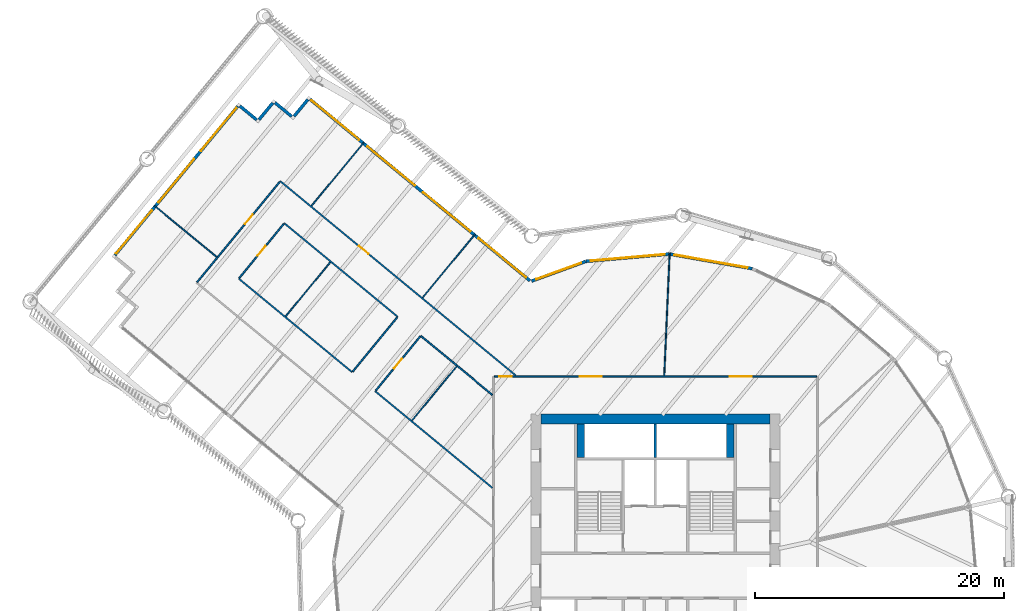
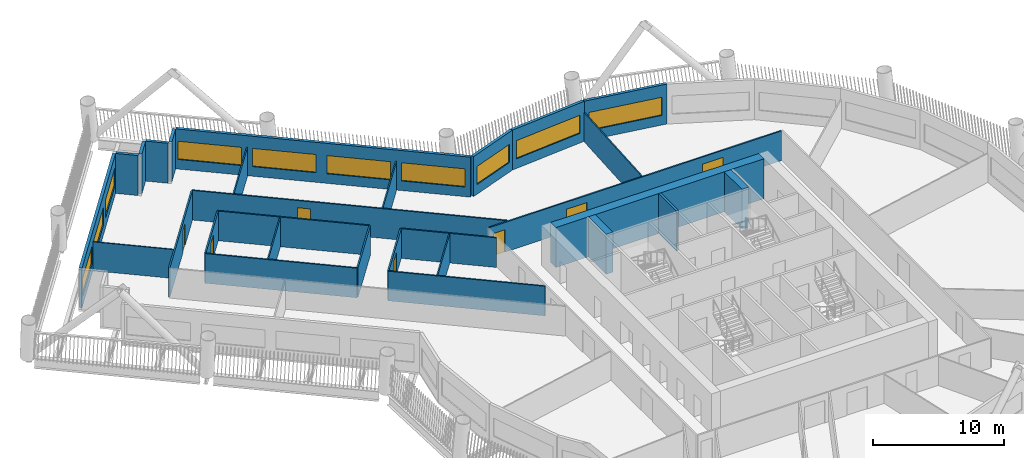
# One storey, part 7 of 22: 29 walls, 10 windows, 7 doors, 17 openings.
"""IFC4 building model written with IfcOpenShell, lengths in metres."""

from ifc_helpers import new_model, si_unit, direction, frame, frame_2d, origin, place, context, subcontext, project, spatial, rectangle, extrude, material, layer, layer_set, type_object, element, fill, save


model = new_model("IFC4")

# Units and contexts
model_context = context("Model", 3, precision=1e-05, world=origin(), true_north=direction((0.0, 1.0)))
body_context = subcontext(model_context, "Body", "Model", "MODEL_VIEW")
ifc_project = project(units=[si_unit("LENGTHUNIT", "METRE"), si_unit("AREAUNIT", "SQUARE_METRE"), si_unit("VOLUMEUNIT", "CUBIC_METRE"), si_unit("PLANEANGLEUNIT", "RADIAN"), si_unit("MASSUNIT", "GRAM", prefix="KILO")], contexts=[model_context])

# Site, building, storey
site_placement = place(None, origin())
site = spatial("IfcSite", under=ifc_project, at=site_placement, CompositionType="ELEMENT")
building_placement = place(site_placement, origin())
building = spatial("IfcBuilding", under=site, at=building_placement, Name="Tarsis Ring Headquarters", CompositionType="ELEMENT")
storey_placement = place(building_placement, frame((0.0, 0.0, 108.39990234375)))
storey = spatial("IfcBuildingStorey", under=building, at=storey_placement, Name="L24", CompositionType="ELEMENT", Elevation=108.39990234375)

# Walls
ifc_material_1 = material(Name="Concrete C60/75", Category="concrete")
ifc_layer_1 = layer(ifc_material_1, 0.800048828125)
ifc_layer_set_1 = layer_set([ifc_layer_1], Name="Core wall 800 C60/75")
wall_type_1 = type_object("IfcWallType", Name="Core wall 800 C60/75", PredefinedType="SHEAR", material=ifc_layer_set_1)
wall_1_placement = place(storey_placement, frame((-9.199951171875, 12.60009765625, 0.0), z_axis=(0.0, 0.0, 1.0), x_axis=(1.0, 0.0, 0.0)))
element("IfcWall", 1, at=wall_1_placement, inside=storey, type_object=wall_type_1, Name="Core wall ON", PredefinedType="SHEAR", context=body_context, shape_type="SweptSolid", body=[
    extrude(rectangle(XDim=18.39990234375, YDim=0.800048828125, at=frame_2d((9.199951171875, 0.0))), origin(), (0.0, 0.0, 1.0), 3.739990234375),
])
ifc_material_2 = material(Name="Gypsum board on steel studs", Category="steel")
ifc_layer_2 = layer(ifc_material_2, 0.10009765625)
ifc_layer_set_2 = layer_set([ifc_layer_2], Name="FL partition 100 unrated")
wall_type_2 = type_object("IfcWallType", Name="FL partition 100 unrated", PredefinedType="PARTITIONING", material=ifc_layer_set_2)
wall_2_placement = place(storey_placement, frame((0.707275390625, 16.06982421875, 0.0), z_axis=(0.0, 0.0, 1.0), x_axis=(0.043964684203, 0.99903308581, 0.0)))
element("IfcWall", 2, at=wall_2_placement, inside=storey, type_object=wall_type_2, Name="Partition PW3", PredefinedType="PARTITIONING", context=body_context, shape_type="SweptSolid", body=[
    extrude(rectangle(XDim=9.8623046875, YDim=0.10009765625, at=frame_2d((4.93115234375, 0.0))), origin(), (0.0, 0.0, 1.0), 2.7001953125),
])
wall_3_placement = place(storey_placement, frame((-18.6884765625, 22.35205078125, 0.0), z_axis=(0.0, 0.0, 1.0), x_axis=(0.636348838657, 0.771401423086, 0.0)))
element("IfcWall", 3, at=wall_3_placement, inside=storey, type_object=wall_type_2, Name="Partition PW3", PredefinedType="PARTITIONING", context=body_context, shape_type="SweptSolid", body=[
    extrude(rectangle(XDim=6.60009765625, YDim=0.10009765625, at=frame_2d((3.300048828125, 0.0))), origin(), (0.0, 0.0, 1.0), 2.7001953125),
])
wall_4_placement = place(storey_placement, frame((-27.613525390625, 29.714599609375, 0.0), z_axis=(0.0, 0.0, 1.0), x_axis=(0.636326826263, 0.771419581147, 0.0)))
element("IfcWall", 4, at=wall_4_placement, inside=storey, type_object=wall_type_2, Name="Partition PW3", PredefinedType="PARTITIONING", context=body_context, shape_type="SweptSolid", body=[
    extrude(rectangle(XDim=6.599853515625, YDim=0.10009765625, at=frame_2d((3.2998046875, 0.0))), origin(), (0.0, 0.0, 1.0), 2.7001953125),
])
wall_5_placement = place(storey_placement, frame((-40.230712890625, 29.725830078125, 0.0), z_axis=(0.0, 0.0, 1.0), x_axis=(0.771415879172, -0.636331314144, 0.0)))
element("IfcWall", 5, at=wall_5_placement, inside=storey, type_object=wall_type_2, Name="Partition PW3", PredefinedType="PARTITIONING", context=body_context, shape_type="SweptSolid", body=[
    extrude(rectangle(XDim=6.47021484375, YDim=0.10009765625, at=frame_2d((3.235107421875, 0.0))), origin(), (0.0, 0.0, 1.0), 2.7001953125),
])
wall_6_placement = place(storey_placement, frame((-19.5458984375, 12.481201171875, 0.0), z_axis=(0.0, 0.0, 1.0), x_axis=(0.636369384387, 0.771384473927, 0.0)))
element("IfcWall", 6, at=wall_6_placement, inside=storey, type_object=wall_type_2, Name="Partition PW3", PredefinedType="PARTITIONING", context=body_context, shape_type="SweptSolid", body=[
    extrude(rectangle(XDim=5.6201171875, YDim=0.10009765625, at=frame_2d((2.81005859375, 0.0))), origin(), (0.0, 0.0, 1.0), 2.7001953125),
])
wall_7_placement = place(storey_placement, frame((-29.689697265625, 20.84912109375, 0.0), z_axis=(0.0, 0.0, 1.0), x_axis=(0.636343534354, 0.771405798711, 0.0)))
element("IfcWall", 7, at=wall_7_placement, inside=storey, type_object=wall_type_2, Name="Partition PW3", PredefinedType="PARTITIONING", context=body_context, shape_type="SweptSolid", body=[
    extrude(rectangle(XDim=5.619873046875, YDim=0.10009765625, at=frame_2d((2.81005859375, 0.0))), origin(), (0.0, 0.0, 1.0), 2.7001953125),
])

# Wall, openings, doors
ifc_layer_3 = layer(ifc_material_2, 0.125)
ifc_layer_set_3 = layer_set([ifc_layer_3], Name="FL partition 125 EI 60 H2770")
wall_type_3 = type_object("IfcWallType", Name="FL partition 125 EI 60 H2770", PredefinedType="PARTITIONING", material=ifc_layer_set_3)
wall_8_placement = place(storey_placement, frame((-12.93994140625, 16.0, 0.0), z_axis=(0.0, 0.0, 1.0), x_axis=(1.0, 0.0, 0.0)))
wall_8 = element("IfcWall", 8, at=wall_8_placement, inside=storey, type_object=wall_type_3, Name="Partition PW1", PredefinedType="PARTITIONING", context=body_context, shape_type="SweptSolid", body=[
    extrude(rectangle(XDim=25.8798828125, YDim=0.125, at=frame_2d((12.93994140625, 0.0))), origin(), (0.0, 0.0, 1.0), 2.77001953125),
])
opening_1_placement = place(wall_8_placement, frame((6.843017578125, 0.0, 0.0)))
opening_1 = element("IfcOpeningElement", 9, at=opening_1_placement, cuts=wall_8, Name="Opening D24.03", PredefinedType="OPENING", context=body_context, shape_type="SweptSolid", body=[
    extrude(rectangle(XDim=1.800048828125, YDim=2.10009765625, at=frame_2d((0.89990234375, 1.050048828125))), frame((0.0, 0.072509765625, 0.0), z_axis=(0.0, -1.0, 0.0), x_axis=(1.0, 0.0, 0.0)), (0.0, 0.0, 1.0), 0.14501953125),
])
opening_2_placement = place(wall_8_placement, frame((18.89208984375, 0.0, 0.0)))
opening_2 = element("IfcOpeningElement", 10, at=opening_2_placement, cuts=wall_8, Name="Opening D24.04", PredefinedType="OPENING", context=body_context, shape_type="SweptSolid", body=[
    extrude(rectangle(XDim=1.800048828125, YDim=2.10009765625, at=frame_2d((0.89990234375, 1.050048828125))), frame((0.0, 0.072509765625, 0.0), z_axis=(0.0, -1.0, 0.0), x_axis=(1.0, 0.0, 0.0)), (0.0, 0.0, 1.0), 0.14501953125),
])
opening_3_placement = place(wall_8_placement, frame((0.390869140625, 0.0, 0.0)))
opening_3 = element("IfcOpeningElement", 11, at=opening_3_placement, cuts=wall_8, Name="Opening D24.24", PredefinedType="OPENING", context=body_context, shape_type="SweptSolid", body=[
    extrude(rectangle(XDim=1.0, YDim=2.10009765625, at=frame_2d((0.5, 1.050048828125))), frame((0.0, 0.072509765625, 0.0), z_axis=(0.0, -1.0, 0.0), x_axis=(1.0, 0.0, 0.0)), (0.0, 0.0, 1.0), 0.14501953125),
])
ifc_material_3 = material(Name="Fire-rated timber door leaf in steel frame", Category="steel")
door_type_1 = type_object("IfcDoorType", Name="FL door FD60-1000", OperationType="NOTDEFINED", PredefinedType="DOOR", material=ifc_material_3)
door_1_placement = place(opening_3_placement, origin())
door_1 = element("IfcDoor", 12, at=door_1_placement, inside=storey, type_object=door_type_1, Name="Door D24.24", OperationType="SINGLE_SWING_RIGHT", OverallHeight=2.10009765625, OverallWidth=1.0, PredefinedType="DOOR", context=body_context, shape_type="SweptSolid", body=[
    extrude(rectangle(XDim=1.0, YDim=2.10009765625, at=frame_2d((0.5, 1.050048828125))), frame((0.0, 0.02490234375, 0.0), z_axis=(0.0, -1.0, 0.0), x_axis=(1.0, 0.0, 0.0)), (0.0, 0.0, 1.0), 0.050048828125),
])
fill(opening_3, door_1)
door_type_2 = type_object("IfcDoorType", Name="FL door FD60-1800", OperationType="DOUBLE_DOOR_SINGLE_SWING", PredefinedType="DOOR", material=ifc_material_3)
door_2_placement = place(opening_1_placement, origin())
door_2 = element("IfcDoor", 13, at=door_2_placement, inside=storey, type_object=door_type_2, Name="Door D24.03", OperationType="DOUBLE_DOOR_SINGLE_SWING", OverallHeight=2.10009765625, OverallWidth=1.800048828125, PredefinedType="DOOR", context=body_context, shape_type="SweptSolid", body=[
    extrude(rectangle(XDim=1.800048828125, YDim=2.10009765625, at=frame_2d((0.89990234375, 1.050048828125))), frame((0.0, 0.02490234375, 0.0), z_axis=(0.0, -1.0, 0.0), x_axis=(1.0, 0.0, 0.0)), (0.0, 0.0, 1.0), 0.050048828125),
])
fill(opening_1, door_2)
door_3_placement = place(opening_2_placement, origin())
door_3 = element("IfcDoor", 14, at=door_3_placement, inside=storey, type_object=door_type_2, Name="Door D24.04", OperationType="DOUBLE_DOOR_SINGLE_SWING", OverallHeight=2.10009765625, OverallWidth=1.800048828125, PredefinedType="DOOR", context=body_context, shape_type="SweptSolid", body=[
    extrude(rectangle(XDim=1.800048828125, YDim=2.10009765625, at=frame_2d((0.89990234375, 1.050048828125))), frame((0.0, 0.02490234375, 0.0), z_axis=(0.0, -1.0, 0.0), x_axis=(1.0, 0.0, 0.0)), (0.0, 0.0, 1.0), 0.050048828125),
])
fill(opening_2, door_3)

# Wall, opening, door
wall_9_placement = place(storey_placement, frame((-30.126708984375, 31.697021484375, 0.0), z_axis=(0.0, 0.0, 1.0), x_axis=(0.771402007677, -0.636348129998, 0.0)))
wall_9 = element("IfcWall", 15, at=wall_9_placement, inside=storey, type_object=wall_type_3, Name="Partition PW1", PredefinedType="PARTITIONING", context=body_context, shape_type="SweptSolid", body=[
    extrude(rectangle(XDim=24.50732421875, YDim=0.125, at=frame_2d((12.253662109375, 0.0))), origin(), (0.0, 0.0, 1.0), 2.77001953125),
])
opening_4_placement = place(wall_9_placement, frame((8.203857421875, 0.0, 0.0)))
opening_4 = element("IfcOpeningElement", 16, at=opening_4_placement, cuts=wall_9, Name="Opening D24.02", PredefinedType="OPENING", context=body_context, shape_type="SweptSolid", body=[
    extrude(rectangle(XDim=1.0, YDim=2.10009765625, at=frame_2d((0.5, 1.050048828125))), frame((0.0, 0.072509765625, 0.0), z_axis=(0.0, -1.0, 0.0), x_axis=(1.0, 0.0, 0.0)), (0.0, 0.0, 1.0), 0.14501953125),
])
door_4_placement = place(opening_4_placement, origin())
door_4 = element("IfcDoor", 17, at=door_4_placement, inside=storey, type_object=door_type_1, Name="Door D24.02", OperationType="SINGLE_SWING_RIGHT", OverallHeight=2.10009765625, OverallWidth=1.0, PredefinedType="DOOR", context=body_context, shape_type="SweptSolid", body=[
    extrude(rectangle(XDim=1.0, YDim=2.10009765625, at=frame_2d((0.5, 1.050048828125))), frame((0.0, 0.02490234375, 0.0), z_axis=(0.0, -1.0, 0.0), x_axis=(1.0, 0.0, 0.0)), (0.0, 0.0, 1.0), 0.050048828125),
])
fill(opening_4, door_4)

# Walls
wall_10_placement = place(storey_placement, frame((-22.50634765625, 14.83251953125, 0.0), z_axis=(0.0, 0.0, 1.0), x_axis=(0.771404458126, -0.636345159472, 0.0)))
element("IfcWall", 18, at=wall_10_placement, inside=storey, type_object=wall_type_3, Name="Partition PW1", PredefinedType="PARTITIONING", context=body_context, shape_type="SweptSolid", body=[
    extrude(rectangle(XDim=12.203369140625, YDim=0.125, at=frame_2d((6.1015625, 0.0))), origin(), (0.0, 0.0, 1.0), 2.77001953125),
])
for number, where, z_axis, x_axis, name in (
    (19, (-33.468017578125, 23.875, 0.0), (0.0, 0.0, 1.0), (0.771400676643, -0.636349743518, 0.0), "Partition PW1"),
    (20, (-29.802490234375, 28.318359375, 0.0), (0.0, 0.0, 1.0), (0.771392305456, -0.636359891165, 0.0), "Partition PW1"),
):
    element("IfcWall", number, at=place(storey_placement, frame(where, z_axis=z_axis, x_axis=x_axis)), inside=storey, type_object=wall_type_3, Name=name, PredefinedType="PARTITIONING", context=body_context, shape_type="SweptSolid", body=[
        extrude(rectangle(XDim=11.81005859375, YDim=0.125, at=frame_2d((5.905029296875, 0.0))), origin(), (0.0, 0.0, 1.0), 2.77001953125),
    ])

# Wall, opening, door
wall_11_placement = place(storey_placement, frame((-36.808349609375, 23.59716796875, 0.0), z_axis=(0.0, 0.0, 1.0), x_axis=(0.636351298914, 0.77139939355, 0.0)))
wall_11 = element("IfcWall", 21, at=wall_11_placement, inside=storey, type_object=wall_type_3, Name="Partition PW1", PredefinedType="PARTITIONING", context=body_context, shape_type="SweptSolid", body=[
    extrude(rectangle(XDim=10.440185546875, YDim=0.125, at=frame_2d((5.22021484375, 0.0))), origin(), (0.0, 0.0, 1.0), 2.77001953125),
])
opening_5_placement = place(wall_11_placement, frame((6.026611328125, 0.0, 0.0)))
opening_5 = element("IfcOpeningElement", 22, at=opening_5_placement, cuts=wall_11, Name="Opening D24.01", PredefinedType="OPENING", context=body_context, shape_type="SweptSolid", body=[
    extrude(rectangle(XDim=1.0, YDim=2.10009765625, at=frame_2d((0.5, 1.050048828125))), frame((0.0, 0.072509765625, 0.0), z_axis=(0.0, -1.0, 0.0), x_axis=(1.0, 0.0, 0.0)), (0.0, 0.0, 1.0), 0.14501953125),
])
door_5_placement = place(opening_5_placement, origin())
door_5 = element("IfcDoor", 23, at=door_5_placement, inside=storey, type_object=door_type_1, Name="Door D24.01", OperationType="SINGLE_SWING_LEFT", OverallHeight=2.10009765625, OverallWidth=1.0, PredefinedType="DOOR", context=body_context, shape_type="SweptSolid", body=[
    extrude(rectangle(XDim=1.0, YDim=2.10009765625, at=frame_2d((0.5, 1.050048828125))), frame((0.0, 0.02490234375, 0.0), z_axis=(0.0, -1.0, 0.0), x_axis=(1.0, 0.0, 0.0)), (0.0, 0.0, 1.0), 0.050048828125),
])
fill(opening_5, door_5)

# Wall
wall_12_placement = place(storey_placement, frame((-18.8408203125, 19.27587890625, 0.0), z_axis=(0.0, 0.0, 1.0), x_axis=(0.771383330032, -0.636370770973, 0.0)))
element("IfcWall", 24, at=wall_12_placement, inside=storey, type_object=wall_type_3, Name="Partition PW1", PredefinedType="PARTITIONING", context=body_context, shape_type="SweptSolid", body=[
    extrude(rectangle(XDim=7.451904296875, YDim=0.125, at=frame_2d((3.72607421875, 0.0))), origin(), (0.0, 0.0, 1.0), 2.77001953125),
])

# Wall, opening, door
wall_13_placement = place(storey_placement, frame((-33.4296875, 23.92138671875, 0.0), z_axis=(0.0, 0.0, 1.0), x_axis=(0.63634431772, 0.771405152501, 0.0)))
wall_13 = element("IfcWall", 25, at=wall_13_placement, inside=storey, type_object=wall_type_3, Name="Partition PW1", PredefinedType="PARTITIONING", context=body_context, shape_type="SweptSolid", body=[
    extrude(rectangle(XDim=5.639892578125, YDim=0.125, at=frame_2d((2.81982421875, 0.0))), origin(), (0.0, 0.0, 1.0), 2.77001953125),
])
opening_6_placement = place(wall_13_placement, frame((2.320068359375, 0.0, 0.0)))
opening_6 = element("IfcOpeningElement", 26, at=opening_6_placement, cuts=wall_13, Name="Opening D24.20", PredefinedType="OPENING", context=body_context, shape_type="SweptSolid", body=[
    extrude(rectangle(XDim=1.0, YDim=2.10009765625, at=frame_2d((0.5, 1.050048828125))), frame((0.0, 0.072509765625, 0.0), z_axis=(0.0, -1.0, 0.0), x_axis=(1.0, 0.0, 0.0)), (0.0, 0.0, 1.0), 0.14501953125),
])
door_6_placement = place(opening_6_placement, origin())
door_6 = element("IfcDoor", 27, at=door_6_placement, inside=storey, type_object=door_type_1, Name="Door D24.20", OperationType="SINGLE_SWING_RIGHT", OverallHeight=2.10009765625, OverallWidth=1.0, PredefinedType="DOOR", context=body_context, shape_type="SweptSolid", body=[
    extrude(rectangle(XDim=1.0, YDim=2.10009765625, at=frame_2d((0.5, 1.050048828125))), frame((0.0, 0.02490234375, 0.0), z_axis=(0.0, -1.0, 0.0), x_axis=(1.0, 0.0, 0.0)), (0.0, 0.0, 1.0), 0.050048828125),
])
fill(opening_6, door_6)

wall_14_placement = place(storey_placement, frame((-22.468017578125, 14.87890625, 0.0), z_axis=(0.0, 0.0, 1.0), x_axis=(0.63634431772, 0.771405152501, 0.0)))
wall_14 = element("IfcWall", 28, at=wall_14_placement, inside=storey, type_object=wall_type_3, Name="Partition PW1", PredefinedType="PARTITIONING", context=body_context, shape_type="SweptSolid", body=[
    extrude(rectangle(XDim=5.639892578125, YDim=0.125, at=frame_2d((2.81982421875, 0.0))), origin(), (0.0, 0.0, 1.0), 2.77001953125),
])
opening_7_placement = place(wall_14_placement, frame((2.320068359375, 0.0, 0.0)))
opening_7 = element("IfcOpeningElement", 29, at=opening_7_placement, cuts=wall_14, Name="Opening D24.17", PredefinedType="OPENING", context=body_context, shape_type="SweptSolid", body=[
    extrude(rectangle(XDim=1.0, YDim=2.10009765625, at=frame_2d((0.5, 1.050048828125))), frame((0.0, 0.072509765625, 0.0), z_axis=(0.0, -1.0, 0.0), x_axis=(1.0, 0.0, 0.0)), (0.0, 0.0, 1.0), 0.14501953125),
])
door_7_placement = place(opening_7_placement, origin())
door_7 = element("IfcDoor", 30, at=door_7_placement, inside=storey, type_object=door_type_1, Name="Door D24.17", OperationType="SINGLE_SWING_LEFT", OverallHeight=2.10009765625, OverallWidth=1.0, PredefinedType="DOOR", context=body_context, shape_type="SweptSolid", body=[
    extrude(rectangle(XDim=1.0, YDim=2.10009765625, at=frame_2d((0.5, 1.050048828125))), frame((0.0, 0.02490234375, 0.0), z_axis=(0.0, -1.0, 0.0), x_axis=(1.0, 0.0, 0.0)), (0.0, 0.0, 1.0), 0.050048828125),
])
fill(opening_7, door_7)

# Wall
wall_15_placement = place(storey_placement, frame((-24.319580078125, 16.406005859375, 0.0), z_axis=(0.0, 0.0, 1.0), x_axis=(0.636370076303, 0.771383903116, 0.0)))
element("IfcWall", 31, at=wall_15_placement, inside=storey, type_object=wall_type_3, Name="Partition PW1", PredefinedType="PARTITIONING", context=body_context, shape_type="SweptSolid", body=[
    extrude(rectangle(XDim=5.639892578125, YDim=0.125, at=frame_2d((2.81982421875, 0.0))), origin(), (0.0, 0.0, 1.0), 2.77001953125),
])

# Wall, opening, window
ifc_material_4 = material(Name="Terracotta clad insulated panel wall", Category="masonry")
ifc_layer_4 = layer(ifc_material_4, 0.25)
ifc_layer_set_4 = layer_set([ifc_layer_4], Name="Facade wall terracotta panel 250")
wall_type_4 = type_object("IfcWallType", Name="Facade wall terracotta panel 250", PredefinedType="STANDARD", material=ifc_layer_set_4)
wall_16_placement = place(storey_placement, frame((7.77294921875, 24.676513671875, 0.0), z_axis=(0.0, 0.0, 1.0), x_axis=(-0.984749168182, 0.173980101637, 0.0)))
wall_16 = element("IfcWall", 32, at=wall_16_placement, inside=storey, type_object=wall_type_4, Name="External wall L24-28", PredefinedType="STANDARD", context=body_context, shape_type="SweptSolid", body=[
    extrude(rectangle(XDim=6.7216796875, YDim=0.25, at=frame_2d((3.36083984375, 0.0))), origin(), (0.0, 0.0, 1.0), 3.739990234375),
])
opening_8_placement = place(wall_16_placement, frame((0.3857421875, 0.0, 0.89990234375)))
opening_8 = element("IfcOpeningElement", 33, at=opening_8_placement, cuts=wall_16, Name="Opening WN07", PredefinedType="OPENING", context=body_context, shape_type="SweptSolid", body=[
    extrude(rectangle(XDim=5.949951171875, YDim=1.699951171875, at=frame_2d((2.97509765625, 0.85009765625))), frame((0.0, 0.135009765625, 0.0), z_axis=(0.0, -1.0, 0.0), x_axis=(1.0, 0.0, 0.0)), (0.0, 0.0, 1.0), 0.27001953125),
])
ifc_material_5 = material(Name="Aluminium framed double glazing", Category="aluminium")
window_type_1 = type_object("IfcWindowType", Name="Facade window 5950 x 1700", PartitioningType="SINGLE_PANEL", PredefinedType="WINDOW", material=ifc_material_5)
window_1_placement = place(opening_8_placement, origin())
window_1 = element("IfcWindow", 34, at=window_1_placement, inside=storey, type_object=window_type_1, Name="Window L24-28.1", OverallHeight=1.699951171875, OverallWidth=5.949951171875, PartitioningType="SINGLE_PANEL", PredefinedType="WINDOW", context=body_context, shape_type="SweptSolid", body=[
    extrude(rectangle(XDim=5.949951171875, YDim=1.699951171875, at=frame_2d((2.97509765625, 0.85009765625))), frame((0.0, 0.030029296875, 0.0), z_axis=(0.0, -1.0, 0.0), x_axis=(1.0, 0.0, 0.0)), (0.0, 0.0, 1.0), 0.06005859375),
])
fill(opening_8, window_1)

wall_17_placement = place(storey_placement, frame((1.121337890625, 25.847412109375, 0.0), z_axis=(0.0, 0.0, 1.0), x_axis=(-0.996225035037, -0.086808292028, 0.0)))
wall_17 = element("IfcWall", 35, at=wall_17_placement, inside=storey, type_object=wall_type_4, Name="External wall L24-29", PredefinedType="STANDARD", context=body_context, shape_type="SweptSolid", body=[
    extrude(rectangle(XDim=6.7216796875, YDim=0.25, at=frame_2d((3.36083984375, 0.0))), origin(), (0.0, 0.0, 1.0), 3.739990234375),
])
opening_9_placement = place(wall_17_placement, frame((0.3857421875, 0.0, 0.89990234375)))
opening_9 = element("IfcOpeningElement", 36, at=opening_9_placement, cuts=wall_17, Name="Opening WN07", PredefinedType="OPENING", context=body_context, shape_type="SweptSolid", body=[
    extrude(rectangle(XDim=5.949951171875, YDim=1.699951171875, at=frame_2d((2.97509765625, 0.85009765625))), frame((0.0, 0.135009765625, 0.0), z_axis=(0.0, -1.0, 0.0), x_axis=(1.0, 0.0, 0.0)), (0.0, 0.0, 1.0), 0.27001953125),
])
window_2_placement = place(opening_9_placement, origin())
window_2 = element("IfcWindow", 37, at=window_2_placement, inside=storey, type_object=window_type_1, Name="Window L24-29.1", OverallHeight=1.699951171875, OverallWidth=5.949951171875, PartitioningType="SINGLE_PANEL", PredefinedType="WINDOW", context=body_context, shape_type="SweptSolid", body=[
    extrude(rectangle(XDim=5.949951171875, YDim=1.699951171875, at=frame_2d((2.97509765625, 0.85009765625))), frame((0.0, 0.030029296875, 0.0), z_axis=(0.0, -1.0, 0.0), x_axis=(1.0, 0.0, 0.0)), (0.0, 0.0, 1.0), 0.06005859375),
])
fill(opening_9, window_2)

wall_18_placement = place(storey_placement, frame((-5.606689453125, 25.2568359375, 0.0), z_axis=(0.0, 0.0, 1.0), x_axis=(-0.93981657476, -0.341679390374, 0.0)))
wall_18 = element("IfcWall", 38, at=wall_18_placement, inside=storey, type_object=wall_type_4, Name="External wall L24-30", PredefinedType="STANDARD", context=body_context, shape_type="SweptSolid", body=[
    extrude(rectangle(XDim=4.617919921875, YDim=0.25, at=frame_2d((2.30908203125, 0.0))), origin(), (0.0, 0.0, 1.0), 3.739990234375),
])
opening_10_placement = place(wall_18_placement, frame((0.367431640625, 0.0, 0.89990234375)))
opening_10 = element("IfcOpeningElement", 39, at=opening_10_placement, cuts=wall_18, Name="Opening WN02", PredefinedType="OPENING", context=body_context, shape_type="SweptSolid", body=[
    extrude(rectangle(XDim=3.85009765625, YDim=1.699951171875, at=frame_2d((1.925048828125, 0.85009765625))), frame((0.0, 0.135009765625, 0.0), z_axis=(0.0, -1.0, 0.0), x_axis=(1.0, 0.0, 0.0)), (0.0, 0.0, 1.0), 0.27001953125),
])
window_type_2 = type_object("IfcWindowType", Name="Facade window 3850 x 1700", PartitioningType="SINGLE_PANEL", PredefinedType="WINDOW", material=ifc_material_5)
window_3_placement = place(opening_10_placement, origin())
window_3 = element("IfcWindow", 40, at=window_3_placement, inside=storey, type_object=window_type_2, Name="Window L24-30.1", OverallHeight=1.699951171875, OverallWidth=3.85009765625, PartitioningType="SINGLE_PANEL", PredefinedType="WINDOW", context=body_context, shape_type="SweptSolid", body=[
    extrude(rectangle(XDim=3.85009765625, YDim=1.699951171875, at=frame_2d((1.925048828125, 0.85009765625))), frame((0.0, 0.030029296875, 0.0), z_axis=(0.0, -1.0, 0.0), x_axis=(1.0, 0.0, 0.0)), (0.0, 0.0, 1.0), 0.06005859375),
])
fill(opening_10, window_3)

# Wall, openings, windows
wall_19_placement = place(storey_placement, frame((-10.06884765625, 23.7001953125, 0.0), z_axis=(0.0, 0.0, 1.0), x_axis=(-0.771408993581, 0.636339661362, 0.0)))
wall_19 = element("IfcWall", 41, at=wall_19_placement, inside=storey, type_object=wall_type_4, Name="External wall L24-31", PredefinedType="STANDARD", context=body_context, shape_type="SweptSolid", body=[
    extrude(rectangle(XDim=22.9013671875, YDim=0.25, at=frame_2d((11.45068359375, 0.0))), origin(), (0.0, 0.0, 1.0), 3.739990234375),
])
opening_11_placement = place(wall_19_placement, frame((0.4189453125, 0.0, 0.89990234375)))
opening_11 = element("IfcOpeningElement", 42, at=opening_11_placement, cuts=wall_19, Name="Opening WN05", PredefinedType="OPENING", context=body_context, shape_type="SweptSolid", body=[
    extrude(rectangle(XDim=4.949951171875, YDim=1.699951171875, at=frame_2d((2.47509765625, 0.85009765625))), frame((0.0, 0.135009765625, 0.0), z_axis=(0.0, -1.0, 0.0), x_axis=(1.0, 0.0, 0.0)), (0.0, 0.0, 1.0), 0.27001953125),
])
opening_12_placement = place(wall_19_placement, frame((6.206787109375, 0.0, 0.89990234375)))
opening_12 = element("IfcOpeningElement", 43, at=opening_12_placement, cuts=wall_19, Name="Opening WN05", PredefinedType="OPENING", context=body_context, shape_type="SweptSolid", body=[
    extrude(rectangle(XDim=4.949951171875, YDim=1.699951171875, at=frame_2d((2.47509765625, 0.85009765625))), frame((0.0, 0.135009765625, 0.0), z_axis=(0.0, -1.0, 0.0), x_axis=(1.0, 0.0, 0.0)), (0.0, 0.0, 1.0), 0.27001953125),
])
opening_13_placement = place(wall_19_placement, frame((11.99462890625, 0.0, 0.89990234375)))
opening_13 = element("IfcOpeningElement", 44, at=opening_13_placement, cuts=wall_19, Name="Opening WN05", PredefinedType="OPENING", context=body_context, shape_type="SweptSolid", body=[
    extrude(rectangle(XDim=4.949951171875, YDim=1.699951171875, at=frame_2d((2.47509765625, 0.85009765625))), frame((0.0, 0.135009765625, 0.0), z_axis=(0.0, -1.0, 0.0), x_axis=(1.0, 0.0, 0.0)), (0.0, 0.0, 1.0), 0.27001953125),
])
opening_14_placement = place(wall_19_placement, frame((17.782470703125, 0.0, 0.89990234375)))
opening_14 = element("IfcOpeningElement", 45, at=opening_14_placement, cuts=wall_19, Name="Opening WN05", PredefinedType="OPENING", context=body_context, shape_type="SweptSolid", body=[
    extrude(rectangle(XDim=4.949951171875, YDim=1.699951171875, at=frame_2d((2.47509765625, 0.85009765625))), frame((0.0, 0.135009765625, 0.0), z_axis=(0.0, -1.0, 0.0), x_axis=(1.0, 0.0, 0.0)), (0.0, 0.0, 1.0), 0.27001953125),
])
window_type_3 = type_object("IfcWindowType", Name="Facade window 4950 x 1700", PartitioningType="SINGLE_PANEL", PredefinedType="WINDOW", material=ifc_material_5)
window_4_placement = place(opening_11_placement, origin())
window_4 = element("IfcWindow", 46, at=window_4_placement, inside=storey, type_object=window_type_3, Name="Window L24-31.1", OverallHeight=1.699951171875, OverallWidth=4.949951171875, PartitioningType="SINGLE_PANEL", PredefinedType="WINDOW", context=body_context, shape_type="SweptSolid", body=[
    extrude(rectangle(XDim=4.949951171875, YDim=1.699951171875, at=frame_2d((2.47509765625, 0.85009765625))), frame((0.0, 0.030029296875, 0.0), z_axis=(0.0, -1.0, 0.0), x_axis=(1.0, 0.0, 0.0)), (0.0, 0.0, 1.0), 0.06005859375),
])
fill(opening_11, window_4)
window_5_placement = place(opening_12_placement, origin())
window_5 = element("IfcWindow", 47, at=window_5_placement, inside=storey, type_object=window_type_3, Name="Window L24-31.2", OverallHeight=1.699951171875, OverallWidth=4.949951171875, PartitioningType="SINGLE_PANEL", PredefinedType="WINDOW", context=body_context, shape_type="SweptSolid", body=[
    extrude(rectangle(XDim=4.949951171875, YDim=1.699951171875, at=frame_2d((2.47509765625, 0.85009765625))), frame((0.0, 0.030029296875, 0.0), z_axis=(0.0, -1.0, 0.0), x_axis=(1.0, 0.0, 0.0)), (0.0, 0.0, 1.0), 0.06005859375),
])
fill(opening_12, window_5)
window_6_placement = place(opening_13_placement, origin())
window_6 = element("IfcWindow", 48, at=window_6_placement, inside=storey, type_object=window_type_3, Name="Window L24-31.3", OverallHeight=1.699951171875, OverallWidth=4.949951171875, PartitioningType="SINGLE_PANEL", PredefinedType="WINDOW", context=body_context, shape_type="SweptSolid", body=[
    extrude(rectangle(XDim=4.949951171875, YDim=1.699951171875, at=frame_2d((2.47509765625, 0.85009765625))), frame((0.0, 0.030029296875, 0.0), z_axis=(0.0, -1.0, 0.0), x_axis=(1.0, 0.0, 0.0)), (0.0, 0.0, 1.0), 0.06005859375),
])
fill(opening_13, window_6)
window_7_placement = place(opening_14_placement, origin())
window_7 = element("IfcWindow", 49, at=window_7_placement, inside=storey, type_object=window_type_3, Name="Window L24-31.4", OverallHeight=1.699951171875, OverallWidth=4.949951171875, PartitioningType="SINGLE_PANEL", PredefinedType="WINDOW", context=body_context, shape_type="SweptSolid", body=[
    extrude(rectangle(XDim=4.949951171875, YDim=1.699951171875, at=frame_2d((2.47509765625, 0.85009765625))), frame((0.0, 0.030029296875, 0.0), z_axis=(0.0, -1.0, 0.0), x_axis=(1.0, 0.0, 0.0)), (0.0, 0.0, 1.0), 0.06005859375),
])
fill(opening_14, window_7)

# Walls
wall_20_placement = place(storey_placement, frame((-27.910888671875, 38.25634765625, 0.0), z_axis=(0.0, 0.0, 1.0), x_axis=(-0.636430683733, -0.771333899685, 0.0)))
element("IfcWall", 50, at=wall_20_placement, inside=storey, type_object=wall_type_4, Name="External wall L24-32", PredefinedType="STANDARD", context=body_context, shape_type="SweptSolid", body=[
    extrude(rectangle(XDim=1.75, YDim=0.25, at=frame_2d((0.875, 0.0))), origin(), (0.0, 0.0, 1.0), 3.739990234375),
])
for number, where, z_axis, x_axis, name in (
    (51, (-29.20068359375, 36.8896484375, 0.0), (0.0, 0.0, 1.0), (-0.771402385336, 0.636347672187, 0.0), "External wall L24-33"),
    (52, (-30.7265625, 37.986328125, 0.0), (0.0, 0.0, 1.0), (-0.636347672187, -0.771402385336, 0.0), "External wall L24-34"),
):
    element("IfcWall", number, at=place(storey_placement, frame(where, z_axis=z_axis, x_axis=x_axis)), inside=storey, type_object=wall_type_4, Name=name, PredefinedType="STANDARD", context=body_context, shape_type="SweptSolid", body=[
        extrude(rectangle(XDim=1.749755859375, YDim=0.25, at=frame_2d((0.875, 0.0))), origin(), (0.0, 0.0, 1.0), 3.739990234375),
    ])
wall_21_placement = place(storey_placement, frame((-32.01611328125, 36.619384765625, 0.0), z_axis=(0.0, 0.0, 1.0), x_axis=(-0.771333899685, 0.636430683733, 0.0)))
element("IfcWall", 53, at=wall_21_placement, inside=storey, type_object=wall_type_4, Name="External wall L24-35", PredefinedType="STANDARD", context=body_context, shape_type="SweptSolid", body=[
    extrude(rectangle(XDim=1.75, YDim=0.25, at=frame_2d((0.875, 0.0))), origin(), (0.0, 0.0, 1.0), 3.739990234375),
])

# Wall, openings, windows
wall_22_placement = place(storey_placement, frame((-33.5419921875, 37.71630859375, 0.0), z_axis=(0.0, 0.0, 1.0), x_axis=(-0.636341950821, -0.771407104987, 0.0)))
wall_22 = element("IfcWall", 54, at=wall_22_placement, inside=storey, type_object=wall_type_4, Name="External wall L24-36", PredefinedType="STANDARD", context=body_context, shape_type="SweptSolid", body=[
    extrude(rectangle(XDim=15.5, YDim=0.25, at=frame_2d((7.75, 0.0))), origin(), (0.0, 0.0, 1.0), 3.739990234375),
])
opening_15_placement = place(wall_22_placement, frame((0.166748046875, 0.0, 0.89990234375)))
opening_15 = element("IfcOpeningElement", 55, at=opening_15_placement, cuts=wall_22, Name="Opening WN04", PredefinedType="OPENING", context=body_context, shape_type="SweptSolid", body=[
    extrude(rectangle(XDim=4.5, YDim=1.699951171875, at=frame_2d((2.25, 0.85009765625))), frame((0.0, 0.135009765625, 0.0), z_axis=(0.0, -1.0, 0.0), x_axis=(1.0, 0.0, 0.0)), (0.0, 0.0, 1.0), 0.27001953125),
])
opening_16_placement = place(wall_22_placement, frame((5.5, 0.0, 0.89990234375)))
opening_16 = element("IfcOpeningElement", 56, at=opening_16_placement, cuts=wall_22, Name="Opening WN04", PredefinedType="OPENING", context=body_context, shape_type="SweptSolid", body=[
    extrude(rectangle(XDim=4.5, YDim=1.699951171875, at=frame_2d((2.25, 0.85009765625))), frame((0.0, 0.135009765625, 0.0), z_axis=(0.0, -1.0, 0.0), x_axis=(1.0, 0.0, 0.0)), (0.0, 0.0, 1.0), 0.27001953125),
])
opening_17_placement = place(wall_22_placement, frame((10.833251953125, 0.0, 0.89990234375)))
opening_17 = element("IfcOpeningElement", 57, at=opening_17_placement, cuts=wall_22, Name="Opening WN04", PredefinedType="OPENING", context=body_context, shape_type="SweptSolid", body=[
    extrude(rectangle(XDim=4.5, YDim=1.699951171875, at=frame_2d((2.25, 0.85009765625))), frame((0.0, 0.135009765625, 0.0), z_axis=(0.0, -1.0, 0.0), x_axis=(1.0, 0.0, 0.0)), (0.0, 0.0, 1.0), 0.27001953125),
])
window_type_4 = type_object("IfcWindowType", Name="Facade window 4500 x 1700", PartitioningType="SINGLE_PANEL", PredefinedType="WINDOW", material=ifc_material_5)
window_8_placement = place(opening_15_placement, origin())
window_8 = element("IfcWindow", 58, at=window_8_placement, inside=storey, type_object=window_type_4, Name="Window L24-36.1", OverallHeight=1.699951171875, OverallWidth=4.5, PartitioningType="SINGLE_PANEL", PredefinedType="WINDOW", context=body_context, shape_type="SweptSolid", body=[
    extrude(rectangle(XDim=4.5, YDim=1.699951171875, at=frame_2d((2.25, 0.85009765625))), frame((0.0, 0.030029296875, 0.0), z_axis=(0.0, -1.0, 0.0), x_axis=(1.0, 0.0, 0.0)), (0.0, 0.0, 1.0), 0.06005859375),
])
fill(opening_15, window_8)
window_9_placement = place(opening_16_placement, origin())
window_9 = element("IfcWindow", 59, at=window_9_placement, inside=storey, type_object=window_type_4, Name="Window L24-36.2", OverallHeight=1.699951171875, OverallWidth=4.5, PartitioningType="SINGLE_PANEL", PredefinedType="WINDOW", context=body_context, shape_type="SweptSolid", body=[
    extrude(rectangle(XDim=4.5, YDim=1.699951171875, at=frame_2d((2.25, 0.85009765625))), frame((0.0, 0.030029296875, 0.0), z_axis=(0.0, -1.0, 0.0), x_axis=(1.0, 0.0, 0.0)), (0.0, 0.0, 1.0), 0.06005859375),
])
fill(opening_16, window_9)
window_10_placement = place(opening_17_placement, origin())
window_10 = element("IfcWindow", 60, at=window_10_placement, inside=storey, type_object=window_type_4, Name="Window L24-36.3", OverallHeight=1.699951171875, OverallWidth=4.5, PartitioningType="SINGLE_PANEL", PredefinedType="WINDOW", context=body_context, shape_type="SweptSolid", body=[
    extrude(rectangle(XDim=4.5, YDim=1.699951171875, at=frame_2d((2.25, 0.85009765625))), frame((0.0, 0.030029296875, 0.0), z_axis=(0.0, -1.0, 0.0), x_axis=(1.0, 0.0, 0.0)), (0.0, 0.0, 1.0), 0.06005859375),
])
fill(opening_17, window_10)

# Walls
ifc_material_6 = material(Name="Concrete C32/40", Category="concrete")
ifc_layer_5 = layer(ifc_material_6, 0.60009765625)
ifc_layer_set_5 = layer_set([ifc_layer_5], Name="Shaft end wall 600 C32/40")
wall_type_5 = type_object("IfcWallType", Name="Shaft end wall 600 C32/40", PredefinedType="SOLIDWALL", material=ifc_layer_set_5)
for number, where, z_axis, x_axis, name in (
    (61, (-6.0, 9.5, 0.0), (0.0, 0.0, 1.0), (0.0, 1.0, 0.0), "Core shaft wall NNE1"),
    (62, (6.0, 9.5, 0.0), (0.0, 0.0, 1.0), (0.0, 1.0, 0.0), "Core shaft wall NNE2"),
):
    element("IfcWall", number, at=place(storey_placement, frame(where, z_axis=z_axis, x_axis=x_axis)), inside=storey, type_object=wall_type_5, Name=name, PredefinedType="SOLIDWALL", context=body_context, shape_type="SweptSolid", body=[
        extrude(rectangle(XDim=2.699951171875, YDim=0.60009765625, at=frame_2d((1.35009765625, 0.0))), origin(), (0.0, 0.0, 1.0), 3.739990234375),
    ])
ifc_layer_6 = layer(ifc_material_6, 0.199951171875)
ifc_layer_set_6 = layer_set([ifc_layer_6], Name="Shaft wall 200 C32/40")
wall_type_6 = type_object("IfcWallType", Name="Shaft wall 200 C32/40", PredefinedType="SOLIDWALL", material=ifc_layer_set_6)
wall_23_placement = place(storey_placement, frame((0.0, 9.5, 0.0), z_axis=(0.0, 0.0, 1.0), x_axis=(0.0, 1.0, 0.0)))
element("IfcWall", 63, at=wall_23_placement, inside=storey, type_object=wall_type_6, Name="Core shaft wall ND2", PredefinedType="SOLIDWALL", context=body_context, shape_type="SweptSolid", body=[
    extrude(rectangle(XDim=2.699951171875, YDim=0.199951171875, at=frame_2d((1.35009765625, 0.0))), origin(), (0.0, 0.0, 1.0), 3.739990234375),
])

save(model, "model.ifc")
